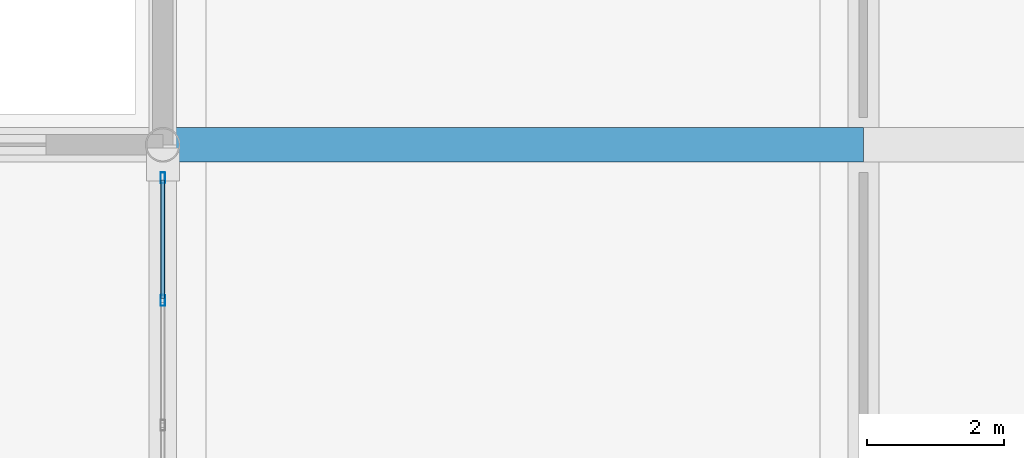
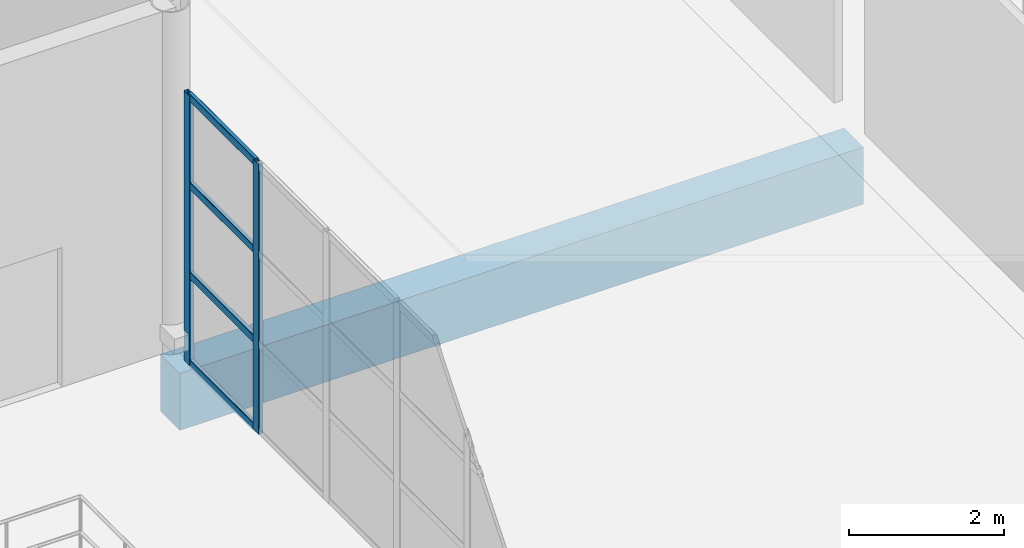
# One storey, part 74 of 175: 6 members, 1 beam, 1 element without a shape of its own.
"""IFC4 building model written with IfcOpenShell, lengths in metres."""

from ifc_helpers import new_model, si_unit, direction, frame, origin, origin_2d, place, context, subcontext, project, spatial, rectangle, hollow_rectangle, extrude, material, material_profile, profile_set, type_object, element, aggregate, save


model = new_model("IFC4")

# Units and contexts
model_context = context("Model", 3, precision=1e-05, world=origin(), true_north=direction((0.0, 1.0)))
body_context = subcontext(model_context, "Body", "Model", "MODEL_VIEW")
ifc_project = project(units=[si_unit("LENGTHUNIT", "METRE"), si_unit("AREAUNIT", "SQUARE_METRE"), si_unit("VOLUMEUNIT", "CUBIC_METRE"), si_unit("PLANEANGLEUNIT", "RADIAN"), si_unit("MASSUNIT", "GRAM", prefix="KILO")], contexts=[model_context])

# Site, building, storey
site_placement = place(None, origin())
site = spatial("IfcSite", under=ifc_project, at=site_placement, CompositionType="ELEMENT")
building_placement = place(site_placement, origin())
building = spatial("IfcBuilding", under=site, at=building_placement, Name="Brelvane Convention Centre", CompositionType="ELEMENT")
storey_placement = place(building_placement, frame((0.0, 0.0, 5.39990234375)))
storey = spatial("IfcBuildingStorey", under=building, at=storey_placement, Name="L01", CompositionType="ELEMENT", Elevation=5.39990234375)

# Curtain wall, members
ifc_material_1 = material(Name="Anodised Aluminium Alloy 6063-T6", Category="aluminium")
curtain_wall_type = type_object("IfcCurtainWallType", Name="Curtain Wall CW-CONC", PredefinedType="USERDEFINED", material=ifc_material_1)
curtain_wall_placement = place(storey_placement, origin())
curtain_wall = element("IfcCurtainWall", 1, at=curtain_wall_placement, inside=storey, type_object=curtain_wall_type, Name="Curtain Wall CW-CONC L01-GAL-ATRIUM-E-3", ObjectType="UNITISED", PredefinedType="USERDEFINED")
ifc_material_2 = material(Name="Anodised Aluminium Alloy 6063-T6", Category="aluminium")
ifc_material_profile_1 = material_profile(ifc_material_2, hollow_rectangle(XDim=0.06494140625, YDim=0.159912109375, WallThickness=0.00390625, InnerFilletRadius=0.00390625, OuterFilletRadius=0.008056640625, at=origin_2d()), Name="ALU-M 160x65x4.0")
ifc_profile_set_1 = profile_set([ifc_material_profile_1], Name="Anodised Aluminium Alloy 6063-T6")
member_type_1 = type_object("IfcMemberType", Name="Curtain Mullion CW-M3", PredefinedType="MULLION", material=ifc_profile_set_1)
member_1_placement = place(storey_placement, frame((163.199951171875, 73.7333984375, 0.0), z_axis=(0.0, 0.0, 1.0), x_axis=(-1.0, 0.0, 0.0)))
member_1 = element("IfcMember", 2, at=member_1_placement, type_object=member_type_1, Name="CW-CONC mullion 6", PredefinedType="MULLION", context=body_context, shape_type="SweptSolid", body=[
    extrude(hollow_rectangle(XDim=0.06494140625, YDim=0.159912109375, WallThickness=0.00390625, InnerFilletRadius=0.00390625, OuterFilletRadius=0.008056640625, at=origin_2d()), origin(), (0.0, 0.0, 1.0), 4.25),
])
member_2_placement = place(storey_placement, frame((163.199951171875, 75.517578125, 0.0), z_axis=(0.0, 0.0, 1.0), x_axis=(-1.0, 0.0, 0.0)))
member_2 = element("IfcMember", 3, at=member_2_placement, type_object=member_type_1, Name="CW-CONC mullion 7", PredefinedType="MULLION", context=body_context, shape_type="SweptSolid", body=[
    extrude(hollow_rectangle(XDim=0.06494140625, YDim=0.159912109375, WallThickness=0.00390625, InnerFilletRadius=0.00390625, OuterFilletRadius=0.008056640625, at=origin_2d()), origin(), (0.0, 0.0, 1.0), 4.25),
])
ifc_material_3 = material(Name="Anodised Aluminium Alloy 6063-T6", Category="aluminium")
ifc_material_profile_2 = material_profile(ifc_material_3, hollow_rectangle(XDim=0.06005859375, YDim=0.1201171875, WallThickness=0.00390625, InnerFilletRadius=0.00390625, OuterFilletRadius=0.008056640625, at=origin_2d()), Name="ALU-T 120x60x4.0")
ifc_profile_set_2 = profile_set([ifc_material_profile_2], Name="Anodised Aluminium Alloy 6063-T6")
member_type_2 = type_object("IfcMemberType", Name="Curtain Transom CW-T3", PredefinedType="USERDEFINED", material=ifc_profile_set_2)
member_3_placement = place(storey_placement, frame((163.199951171875, 73.765869140625, 0.030029296875), z_axis=(0.0, 1.0, 0.0), x_axis=(-1.0, 0.0, 0.0)))
member_3 = element("IfcMember", 4, at=member_3_placement, type_object=member_type_2, Name="CW-CONC transom 6.1", ObjectType="TRANSOM", PredefinedType="USERDEFINED", context=body_context, shape_type="SweptSolid", body=[
    extrude(hollow_rectangle(XDim=0.06005859375, YDim=0.1201171875, WallThickness=0.00390625, InnerFilletRadius=0.00390625, OuterFilletRadius=0.008056640625, at=origin_2d()), origin(), (0.0, 0.0, 1.0), 1.71923828125),
])
member_4_placement = place(storey_placement, frame((163.199951171875, 73.765869140625, 1.416748046875), z_axis=(0.0, 1.0, 0.0), x_axis=(-1.0, 0.0, 0.0)))
member_4 = element("IfcMember", 5, at=member_4_placement, type_object=member_type_2, Name="CW-CONC transom 6.2", ObjectType="TRANSOM", PredefinedType="USERDEFINED", context=body_context, shape_type="SweptSolid", body=[
    extrude(hollow_rectangle(XDim=0.06005859375, YDim=0.1201171875, WallThickness=0.00390625, InnerFilletRadius=0.00390625, OuterFilletRadius=0.008056640625, at=origin_2d()), origin(), (0.0, 0.0, 1.0), 1.71923828125),
])
member_5_placement = place(storey_placement, frame((163.199951171875, 73.765869140625, 2.83349609375), z_axis=(0.0, 1.0, 0.0), x_axis=(-1.0, 0.0, 0.0)))
member_5 = element("IfcMember", 6, at=member_5_placement, type_object=member_type_2, Name="CW-CONC transom 6.3", ObjectType="TRANSOM", PredefinedType="USERDEFINED", context=body_context, shape_type="SweptSolid", body=[
    extrude(hollow_rectangle(XDim=0.06005859375, YDim=0.1201171875, WallThickness=0.00390625, InnerFilletRadius=0.00390625, OuterFilletRadius=0.008056640625, at=origin_2d()), origin(), (0.0, 0.0, 1.0), 1.71923828125),
])
member_6_placement = place(storey_placement, frame((163.199951171875, 73.765869140625, 4.22021484375), z_axis=(0.0, 1.0, 0.0), x_axis=(-1.0, 0.0, 0.0)))
member_6 = element("IfcMember", 7, at=member_6_placement, type_object=member_type_2, Name="CW-CONC transom 6.4", ObjectType="TRANSOM", PredefinedType="USERDEFINED", context=body_context, shape_type="SweptSolid", body=[
    extrude(hollow_rectangle(XDim=0.06005859375, YDim=0.1201171875, WallThickness=0.00390625, InnerFilletRadius=0.00390625, OuterFilletRadius=0.008056640625, at=origin_2d()), origin(), (0.0, 0.0, 1.0), 1.71923828125),
])
aggregate(curtain_wall, [member_1, member_2, member_3, member_4, member_5, member_6])

# Beam
ifc_material_4 = material(Name="Concrete M40", Category="concrete")
ifc_material_profile_3 = material_profile(ifc_material_4, rectangle(XDim=0.5, YDim=0.89990234375, at=origin_2d()), Name="RC 500x900")
ifc_profile_set_3 = profile_set([ifc_material_profile_3], Name="Concrete M40")
beam_type = type_object("IfcBeamType", Name="RC Beam B-RC4 (RC 500x900)", PredefinedType="BEAM", material=ifc_profile_set_3)
beam_placement = place(storey_placement, frame((163.199951171875, 76.0, -0.77001953125), z_axis=(1.0, 0.0, 0.0), x_axis=(0.0, 1.0, 0.0)))
element("IfcBeam", 8, at=beam_placement, inside=storey, type_object=beam_type, Name="L01 Beam 17-18/H", PredefinedType="BEAM", context=body_context, shape_type="SweptSolid", body=[
    extrude(rectangle(XDim=0.5, YDim=0.89990234375, at=origin_2d()), origin(), (0.0, 0.0, 1.0), 10.199951171875),
])

save(model, "model.ifc")
